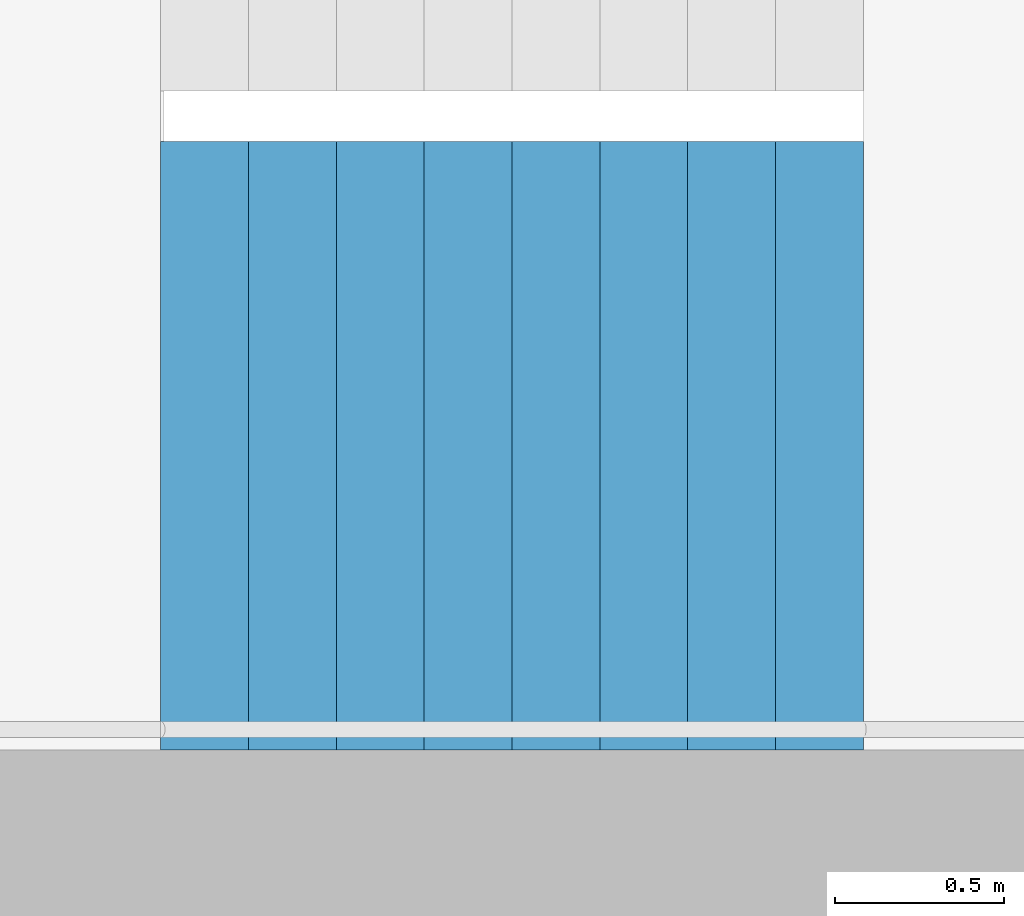
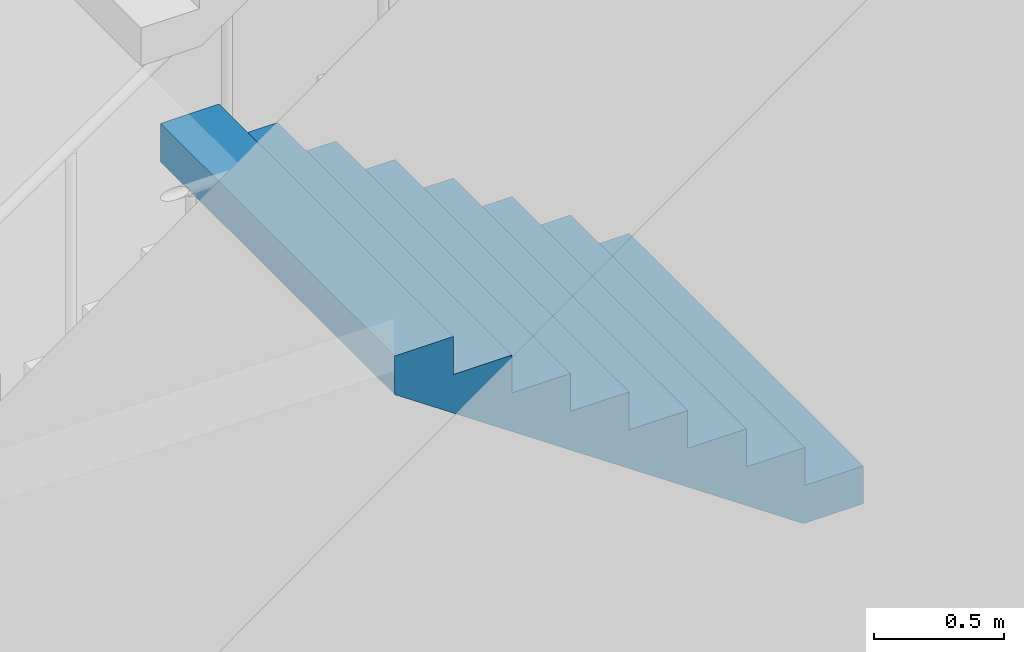
# One storey, part 24 of 42: 1 stair flight, 1 element without a shape of its own.
"""IFC4 building model written with IfcOpenShell, lengths in metres."""

import ifcopenshell
import ifcopenshell.guid

model = None  # the IFC model being written
_history = None  # IfcOwnerHistory: only IFC2X3 demands one
_inside = {}  # id of a spatial element -> (the spatial element, [elements in it])
_under = {}  # id of a project, library or spatial element -> (it, [spatial elements below it])
_declared = {}  # id of a project -> (the project, [libraries it declares])
_typed = {}  # id of a type object -> (the type object, [elements of that type])
_made_of = {}  # id of a material, layer set ... -> (it, [elements and type objects made of it])


def new_model(schema):
    """Start an empty IFC model of exactly this schema.

    Asked for "IFC4X3", IfcOpenShell would pick the latest addendum, in which some entities
    have other attributes; the version numbers below select the first issue.
    IFC2X3 requires an IfcOwnerHistory on every rooted entity: one is made here for all.
    """
    global model, _history
    if schema == "IFC4X3":
        model = ifcopenshell.file(schema_version=(4, 3, 0, 0))
    else:
        model = ifcopenshell.file(schema=schema)
    _inside.clear()
    _under.clear()
    _declared.clear()
    _typed.clear()
    _made_of.clear()
    _history = None
    if model.schema == "IFC2X3":
        org = make("IfcOrganization", Name="unknown")
        user = make(
            "IfcPersonAndOrganization",
            ThePerson=make("IfcPerson", FamilyName="unknown"),
            TheOrganization=org,
        )
        app = make(
            "IfcApplication",
            ApplicationDeveloper=org,
            Version="unknown",
            ApplicationFullName="unknown",
            ApplicationIdentifier="unknown",
        )
        _history = make(
            "IfcOwnerHistory",
            OwningUser=user,
            OwningApplication=app,
            ChangeAction="ADDED",
            CreationDate=0,
        )
    return model


def make(cls, **values):
    """One entity of the class cls with the attributes given. An attribute that is None is left unset."""
    return model.create_entity(
        cls, **{name: value for name, value in values.items() if value is not None}
    )


def rooted(cls, **values):
    """An entity with a GlobalId (a new one), such as an element, a storey or a relation."""
    return make(cls, GlobalId=ifcopenshell.guid.new(), OwnerHistory=_history, **values)


def si_unit(unit_type, name, prefix=None):
    """IfcSIUnit, for example si_unit("LENGTHUNIT", "METRE", prefix="MILLI")."""
    return make("IfcSIUnit", UnitType=unit_type, Prefix=prefix, Name=name)


def assignment(units):
    """IfcUnitAssignment: the units of a project."""
    return None if units is None else make("IfcUnitAssignment", Units=units)


def point(xyz):
    """IfcCartesianPoint."""
    return None if xyz is None else make("IfcCartesianPoint", Coordinates=xyz)


def direction(xyz):
    """IfcDirection."""
    return None if xyz is None else make("IfcDirection", DirectionRatios=xyz)


def frame(location, z_axis=None, x_axis=None):
    """IfcAxis2Placement3D, a coordinate frame: its origin and axes. An axis left out is left unset."""
    return make(
        "IfcAxis2Placement3D",
        Location=point(location),
        Axis=direction(z_axis),
        RefDirection=direction(x_axis),
    )


def origin():
    """The frame at (0, 0, 0) with its axes left unset."""
    return frame((0.0, 0.0, 0.0))


def place(relative_to, where):
    """IfcLocalPlacement: puts the frame where relative to a parent placement (None: the world)."""
    return make(
        "IfcLocalPlacement", PlacementRelTo=relative_to, RelativePlacement=where
    )


def context(
    kind, dimensions, precision=None, world=None, true_north=None, identifier=None
):
    """IfcGeometricRepresentationContext, for example the 3D "Model" context."""
    return make(
        "IfcGeometricRepresentationContext",
        ContextIdentifier=identifier,
        ContextType=kind,
        CoordinateSpaceDimension=dimensions,
        Precision=precision,
        WorldCoordinateSystem=world,
        TrueNorth=true_north,
    )


def subcontext(parent, identifier, kind, view, scale=None):
    """IfcGeometricRepresentationSubContext, for example "Body" below "Model"."""
    return make(
        "IfcGeometricRepresentationSubContext",
        ContextIdentifier=identifier,
        ContextType=kind,
        ParentContext=parent,
        TargetScale=scale,
        TargetView=view,
    )


def project(units=None, contexts=None):
    """IfcProject with its units and contexts."""
    return rooted(
        "IfcProject",
        Name="project",
        RepresentationContexts=contexts,
        UnitsInContext=assignment(units),
    )


def spatial(cls, under=None, at=None, **own):
    """A site, building, storey or space (cls), placed at a placement, below another one or the project."""
    s = rooted(cls, ObjectPlacement=at, **own)
    if under is not None:
        _under.setdefault(under.id(), (under, []))[1].append(s)
    return s


def point_list(points):
    """IfcCartesianPointList2D or 3D."""
    cls = (
        "IfcCartesianPointList2D" if len(points[0]) == 2 else "IfcCartesianPointList3D"
    )
    return make(cls, CoordList=points)


def triangles(points, corners, closed=None, point_numbers=None):
    """IfcTriangulatedFaceSet: each triangle names its three corners, points numbered from 1."""
    return make(
        "IfcTriangulatedFaceSet",
        Coordinates=point_list(points),
        Closed=closed,
        CoordIndex=corners,
        PnIndex=point_numbers,
    )


def shape(context_of_items, identifier, shape_type, items):
    """IfcShapeRepresentation: the items that make up one representation, for example the "Body"."""
    return make(
        "IfcShapeRepresentation",
        ContextOfItems=context_of_items,
        RepresentationIdentifier=identifier,
        RepresentationType=shape_type,
        Items=items,
    )


def material(Name=None, Category=None):
    """IfcMaterial."""
    return make("IfcMaterial", Name=Name, Category=Category)


def made_of(thing, what):
    """Note that an element or type object is made of a material, layer set ...; save() writes the relation."""
    if what is not None:
        _made_of.setdefault(what.id(), (what, []))[1].append(thing)
    return thing


def type_object(cls, material=None, **own):
    """A type object (cls), such as IfcWallType, which elements share."""
    return made_of(rooted(cls, **own), material)


def element(
    cls,
    number,
    at=None,
    inside=None,
    cuts=None,
    type_object=None,
    material=None,
    context=None,
    identifier="Body",
    shape_type=None,
    held_by="IfcProductDefinitionShape",
    body=None,
    shapes=None,
    **own,
):
    """One element of the class cls, such as IfcWall. Its Tag is "e" and its number.

    at: its placement. inside: the storey or other place that contains it. cuts: it is an
    opening in that element (IfcRelVoidsElement). A single representation is given by context,
    identifier, shape_type and body (its items); several are given by shapes. held_by: the class
    of the entity that holds the representations. save() writes the other relations.
    """
    e = rooted(cls, Tag="e%d" % number, ObjectPlacement=at, **own)
    if body is not None:
        shapes = [shape(context, identifier, shape_type, body)]
    if shapes is not None:
        e.Representation = make(held_by, Representations=shapes)
    if inside is not None:
        _inside.setdefault(inside.id(), (inside, []))[1].append(e)
    if cuts is not None:
        rooted(
            "IfcRelVoidsElement", RelatingBuildingElement=cuts, RelatedOpeningElement=e
        )
    if type_object is not None:
        _typed.setdefault(type_object.id(), (type_object, []))[1].append(e)
    return made_of(e, material)


def aggregate(whole, parts):
    """IfcRelAggregates: a whole, such as a stair, and the parts it consists of."""
    return rooted("IfcRelAggregates", RelatingObject=whole, RelatedObjects=parts)


def save(model, path):
    """Write the relations noted so far, then the file.

    IfcRelAggregates (storeys below a building ...), IfcRelContainedInSpatialStructure (elements
    in a storey), IfcRelDefinesByType, IfcRelAssociatesMaterial and IfcRelDeclares: one each for
    every whole, place, type object, material and project.
    """
    for whole, parts in _under.values():
        aggregate(whole, parts)
    for where, things in _inside.values():
        rooted(
            "IfcRelContainedInSpatialStructure",
            RelatedElements=things,
            RelatingStructure=where,
        )
    for kind, things in _typed.values():
        rooted("IfcRelDefinesByType", RelatedObjects=things, RelatingType=kind)
    for what, things in _made_of.values():
        rooted("IfcRelAssociatesMaterial", RelatedObjects=things, RelatingMaterial=what)
    for by, libraries in _declared.values():
        rooted("IfcRelDeclares", RelatingContext=by, RelatedDefinitions=libraries)
    model.write(path)


model = new_model("IFC4")

# Units and contexts
model_context = context("Model", 3, precision=1e-05, world=origin(), true_north=direction((0.0, 1.0)))
body_context = subcontext(model_context, "Body", "Model", "MODEL_VIEW")
ifc_project = project(units=[si_unit("LENGTHUNIT", "METRE"), si_unit("AREAUNIT", "SQUARE_METRE"), si_unit("VOLUMEUNIT", "CUBIC_METRE"), si_unit("PLANEANGLEUNIT", "RADIAN"), si_unit("MASSUNIT", "GRAM", prefix="KILO")], contexts=[model_context])

# Site, building, storey
site_placement = place(None, origin())
site = spatial("IfcSite", under=ifc_project, at=site_placement, CompositionType="ELEMENT")
building_placement = place(site_placement, origin())
building = spatial("IfcBuilding", under=site, at=building_placement, Name="Hakoniwa Tower and Hamabe Station Hall", CompositionType="ELEMENT")
storey_placement = place(building_placement, frame((0.0, 0.0, 232.60009765625)))
storey = spatial("IfcBuildingStorey", under=building, at=storey_placement, Name="L66", CompositionType="ELEMENT", Elevation=232.60009765625)

# Stair, stair flight
ifc_material_1 = material(Name="Concrete C40", Category="concrete")
stair_type = type_object("IfcStairType", Name="ESCAPE STAIR 1800", PredefinedType="HALF_TURN_STAIR", material=ifc_material_1)
stair_placement = place(storey_placement, origin())
stair = element("IfcStair", 1, at=stair_placement, inside=storey, type_object=stair_type, Name="Escape stair ST-4 L66", PredefinedType="HALF_TURN_STAIR")
ifc_material_2 = material(Name="Concrete C40", Category="concrete")
stair_flight_type = type_object("IfcStairFlightType", Name="STAIR FLIGHT 1800", PredefinedType="STRAIGHT", material=ifc_material_2)
stair_flight_placement = place(storey_placement, frame((25.47998046875, -6.60009765625, 1.599853515625), z_axis=(0.0, 0.0, 1.0), x_axis=(-1.0, 0.0, 0.0)))
stair_flight = element("IfcStairFlight", 2, at=stair_flight_placement, type_object=stair_flight_type, Name="ST-4 flight 2", NumberOfRisers=9, NumberOfTreads=8, PredefinedType="STRAIGHT", RiserHeight=0.177777778, TreadLength=0.26, context=body_context, shape_type="Tessellation", body=[
    triangles([(0.0, 0.89990234375, 0.0), (0.260009765625, 0.89990234375, 0.0), (0.265625, 0.89990234375, 0.0), (0.52001953125, 0.89990234375, 0.174072265625), (0.780029296875, 0.89990234375, 0.351806640625), (1.0400390625, 0.89990234375, 0.529541015625), (1.300048828125, 0.89990234375, 0.707275390625), (1.56005859375, 0.89990234375, 0.885009765625), (1.820068359375, 0.89990234375, 1.062744140625), (2.080078125, 0.89990234375, 1.24072265625), (2.080078125, 0.89990234375, 1.422119140625), (1.820068359375, 0.89990234375, 1.422119140625), (1.820068359375, 0.89990234375, 1.244384765625), (1.56005859375, 0.89990234375, 1.244384765625), (1.56005859375, 0.89990234375, 1.066650390625), (1.300048828125, 0.89990234375, 1.066650390625), (1.300048828125, 0.89990234375, 0.888916015625), (1.0400390625, 0.89990234375, 0.888916015625), (1.0400390625, 0.89990234375, 0.711181640625), (0.780029296875, 0.89990234375, 0.711181640625), (0.780029296875, 0.89990234375, 0.533447265625), (0.52001953125, 0.89990234375, 0.533447265625), (0.52001953125, 0.89990234375, 0.35546875), (0.265625, 0.89990234375, 0.35546875), (0.260009765625, 0.89990234375, 0.35546875), (0.260009765625, 0.89990234375, 0.177734375), (0.0, 0.89990234375, 0.177734375), (0.0, 0.06005859375, 0.0), (0.260009765625, 0.06005859375, 0.0), (0.265625, 0.06005859375, 0.0), (0.52001953125, 0.06005859375, 0.174072265625), (0.780029296875, 0.06005859375, 0.351806640625), (1.0400390625, 0.06005859375, 0.529541015625), (1.300048828125, 0.06005859375, 0.707275390625), (1.56005859375, 0.06005859375, 0.885009765625), (1.820068359375, 0.06005859375, 1.062744140625), (2.080078125, 0.06005859375, 1.24072265625), (2.080078125, 0.06005859375, 1.422119140625), (1.820068359375, 0.06005859375, 1.422119140625), (1.820068359375, 0.06005859375, 1.244384765625), (1.56005859375, 0.06005859375, 1.244384765625), (1.56005859375, 0.06005859375, 1.066650390625), (1.300048828125, 0.06005859375, 1.066650390625), (1.300048828125, 0.06005859375, 0.888916015625), (1.0400390625, 0.06005859375, 0.888916015625), (1.0400390625, 0.06005859375, 0.711181640625), (0.780029296875, 0.06005859375, 0.711181640625), (0.780029296875, 0.06005859375, 0.533447265625), (0.52001953125, 0.06005859375, 0.533447265625), (0.52001953125, 0.06005859375, 0.35546875), (0.265625, 0.06005859375, 0.35546875), (0.260009765625, 0.06005859375, 0.35546875), (0.260009765625, 0.06005859375, 0.177734375), (0.0, 0.06005859375, 0.177734375), (0.0, 0.04296875, 0.0), (0.260009765625, 0.04296875, 0.0), (0.265625, 0.04296875, 0.0), (0.52001953125, 0.04296875, 0.174072265625), (0.780029296875, 0.04296875, 0.351806640625), (1.0400390625, 0.04296875, 0.529541015625), (1.300048828125, 0.04296875, 0.707275390625), (1.56005859375, 0.04296875, 0.885009765625), (1.820068359375, 0.04296875, 1.062744140625), (2.080078125, 0.04296875, 1.24072265625), (2.080078125, 0.04296875, 1.422119140625), (1.820068359375, 0.04296875, 1.422119140625), (1.820068359375, 0.04296875, 1.244384765625), (1.56005859375, 0.04296875, 1.244384765625), (1.56005859375, 0.04296875, 1.066650390625), (1.300048828125, 0.04296875, 1.066650390625), (1.300048828125, 0.04296875, 0.888916015625), (1.0400390625, 0.04296875, 0.888916015625), (1.0400390625, 0.04296875, 0.711181640625), (0.780029296875, 0.04296875, 0.711181640625), (0.780029296875, 0.04296875, 0.533447265625), (0.52001953125, 0.04296875, 0.533447265625), (0.52001953125, 0.04296875, 0.35546875), (0.265625, 0.04296875, 0.35546875), (0.260009765625, 0.04296875, 0.35546875), (0.260009765625, 0.04296875, 0.177734375), (0.0, 0.04296875, 0.177734375), (0.0, 0.025634765625, 0.0), (0.260009765625, 0.025634765625, 0.0), (0.265625, 0.025634765625, 0.0), (0.52001953125, 0.025634765625, 0.174072265625), (0.780029296875, 0.025634765625, 0.351806640625), (1.0400390625, 0.025634765625, 0.529541015625), (1.300048828125, 0.025634765625, 0.707275390625), (1.56005859375, 0.025634765625, 0.885009765625), (1.820068359375, 0.025634765625, 1.062744140625), (2.080078125, 0.025634765625, 1.24072265625), (2.080078125, 0.025634765625, 1.422119140625), (1.820068359375, 0.025634765625, 1.422119140625), (1.820068359375, 0.025634765625, 1.244384765625), (1.56005859375, 0.025634765625, 1.244384765625), (1.56005859375, 0.025634765625, 1.066650390625), (1.300048828125, 0.025634765625, 1.066650390625), (1.300048828125, 0.025634765625, 0.888916015625), (1.0400390625, 0.025634765625, 0.888916015625), (1.0400390625, 0.025634765625, 0.711181640625), (0.780029296875, 0.025634765625, 0.711181640625), (0.780029296875, 0.025634765625, 0.533447265625), (0.52001953125, 0.025634765625, 0.533447265625), (0.52001953125, 0.025634765625, 0.35546875), (0.265625, 0.025634765625, 0.35546875), (0.260009765625, 0.025634765625, 0.35546875), (0.260009765625, 0.025634765625, 0.177734375), (0.0, 0.025634765625, 0.177734375), (0.0, 0.008544921875, 0.0), (0.260009765625, 0.008544921875, 0.0), (0.265625, 0.008544921875, 0.0), (0.52001953125, 0.008544921875, 0.174072265625), (0.780029296875, 0.008544921875, 0.351806640625), (1.0400390625, 0.008544921875, 0.529541015625), (1.300048828125, 0.008544921875, 0.707275390625), (1.56005859375, 0.008544921875, 0.885009765625), (1.820068359375, 0.008544921875, 1.062744140625), (2.080078125, 0.008544921875, 1.24072265625), (2.080078125, 0.008544921875, 1.422119140625), (1.820068359375, 0.008544921875, 1.422119140625), (1.820068359375, 0.008544921875, 1.244384765625), (1.56005859375, 0.008544921875, 1.244384765625), (1.56005859375, 0.008544921875, 1.066650390625), (1.300048828125, 0.008544921875, 1.066650390625), (1.300048828125, 0.008544921875, 0.888916015625), (1.0400390625, 0.008544921875, 0.888916015625), (1.0400390625, 0.008544921875, 0.711181640625), (0.780029296875, 0.008544921875, 0.711181640625), (0.780029296875, 0.008544921875, 0.533447265625), (0.52001953125, 0.008544921875, 0.533447265625), (0.52001953125, 0.008544921875, 0.35546875), (0.265625, 0.008544921875, 0.35546875), (0.260009765625, 0.008544921875, 0.35546875), (0.260009765625, 0.008544921875, 0.177734375), (0.0, 0.008544921875, 0.177734375), (0.0, -0.008544921875, 0.0), (0.260009765625, -0.008544921875, 0.0), (0.265625, -0.008544921875, 0.0), (0.52001953125, -0.008544921875, 0.174072265625), (0.780029296875, -0.008544921875, 0.351806640625), (1.0400390625, -0.008544921875, 0.529541015625), (1.300048828125, -0.008544921875, 0.707275390625), (1.56005859375, -0.008544921875, 0.885009765625), (1.820068359375, -0.008544921875, 1.062744140625), (2.080078125, -0.008544921875, 1.24072265625), (2.080078125, -0.008544921875, 1.422119140625), (1.820068359375, -0.008544921875, 1.422119140625), (1.820068359375, -0.008544921875, 1.244384765625), (1.56005859375, -0.008544921875, 1.244384765625), (1.56005859375, -0.008544921875, 1.066650390625), (1.300048828125, -0.008544921875, 1.066650390625), (1.300048828125, -0.008544921875, 0.888916015625), (1.0400390625, -0.008544921875, 0.888916015625), (1.0400390625, -0.008544921875, 0.711181640625), (0.780029296875, -0.008544921875, 0.711181640625), (0.780029296875, -0.008544921875, 0.533447265625), (0.52001953125, -0.008544921875, 0.533447265625), (0.52001953125, -0.008544921875, 0.35546875), (0.265625, -0.008544921875, 0.35546875), (0.260009765625, -0.008544921875, 0.35546875), (0.260009765625, -0.008544921875, 0.177734375), (0.0, -0.008544921875, 0.177734375), (0.0, -0.025634765625, 0.0), (0.260009765625, -0.025634765625, 0.0), (0.265625, -0.025634765625, 0.0), (0.52001953125, -0.025634765625, 0.174072265625), (0.780029296875, -0.025634765625, 0.351806640625), (1.0400390625, -0.025634765625, 0.529541015625), (1.300048828125, -0.025634765625, 0.707275390625), (1.56005859375, -0.025634765625, 0.885009765625), (1.820068359375, -0.025634765625, 1.062744140625), (2.080078125, -0.025634765625, 1.24072265625), (2.080078125, -0.025634765625, 1.422119140625), (1.820068359375, -0.025634765625, 1.422119140625), (1.820068359375, -0.025634765625, 1.244384765625), (1.56005859375, -0.025634765625, 1.244384765625), (1.56005859375, -0.025634765625, 1.066650390625), (1.300048828125, -0.025634765625, 1.066650390625), (1.300048828125, -0.025634765625, 0.888916015625), (1.0400390625, -0.025634765625, 0.888916015625), (1.0400390625, -0.025634765625, 0.711181640625), (0.780029296875, -0.025634765625, 0.711181640625), (0.780029296875, -0.025634765625, 0.533447265625), (0.52001953125, -0.025634765625, 0.533447265625), (0.52001953125, -0.025634765625, 0.35546875), (0.265625, -0.025634765625, 0.35546875), (0.260009765625, -0.025634765625, 0.35546875), (0.260009765625, -0.025634765625, 0.177734375), (0.0, -0.025634765625, 0.177734375), (0.0, -0.04296875, 0.0), (0.260009765625, -0.04296875, 0.0), (0.265625, -0.04296875, 0.0), (0.52001953125, -0.04296875, 0.174072265625), (0.780029296875, -0.04296875, 0.351806640625), (1.0400390625, -0.04296875, 0.529541015625), (1.300048828125, -0.04296875, 0.707275390625), (1.56005859375, -0.04296875, 0.885009765625), (1.820068359375, -0.04296875, 1.062744140625), (2.080078125, -0.04296875, 1.24072265625), (2.080078125, -0.04296875, 1.422119140625), (1.820068359375, -0.04296875, 1.422119140625), (1.820068359375, -0.04296875, 1.244384765625), (1.56005859375, -0.04296875, 1.244384765625), (1.56005859375, -0.04296875, 1.066650390625), (1.300048828125, -0.04296875, 1.066650390625), (1.300048828125, -0.04296875, 0.888916015625), (1.0400390625, -0.04296875, 0.888916015625), (1.0400390625, -0.04296875, 0.711181640625), (0.780029296875, -0.04296875, 0.711181640625), (0.780029296875, -0.04296875, 0.533447265625), (0.52001953125, -0.04296875, 0.533447265625), (0.52001953125, -0.04296875, 0.35546875), (0.265625, -0.04296875, 0.35546875), (0.260009765625, -0.04296875, 0.35546875), (0.260009765625, -0.04296875, 0.177734375), (0.0, -0.04296875, 0.177734375), (0.0, -0.06005859375, 0.0), (0.260009765625, -0.06005859375, 0.0), (0.265625, -0.06005859375, 0.0), (0.52001953125, -0.06005859375, 0.174072265625), (0.780029296875, -0.06005859375, 0.351806640625), (1.0400390625, -0.06005859375, 0.529541015625), (1.300048828125, -0.06005859375, 0.707275390625), (1.56005859375, -0.06005859375, 0.885009765625), (1.820068359375, -0.06005859375, 1.062744140625), (2.080078125, -0.06005859375, 1.24072265625), (2.080078125, -0.06005859375, 1.422119140625), (1.820068359375, -0.06005859375, 1.422119140625), (1.820068359375, -0.06005859375, 1.244384765625), (1.56005859375, -0.06005859375, 1.244384765625), (1.56005859375, -0.06005859375, 1.066650390625), (1.300048828125, -0.06005859375, 1.066650390625), (1.300048828125, -0.06005859375, 0.888916015625), (1.0400390625, -0.06005859375, 0.888916015625), (1.0400390625, -0.06005859375, 0.711181640625), (0.780029296875, -0.06005859375, 0.711181640625), (0.780029296875, -0.06005859375, 0.533447265625), (0.52001953125, -0.06005859375, 0.533447265625), (0.52001953125, -0.06005859375, 0.35546875), (0.265625, -0.06005859375, 0.35546875), (0.260009765625, -0.06005859375, 0.35546875), (0.260009765625, -0.06005859375, 0.177734375), (0.0, -0.06005859375, 0.177734375), (0.0, -0.89990234375, 0.0), (0.260009765625, -0.89990234375, 0.0), (0.265625, -0.89990234375, 0.0), (0.52001953125, -0.89990234375, 0.174072265625), (0.780029296875, -0.89990234375, 0.351806640625), (1.0400390625, -0.89990234375, 0.529541015625), (1.300048828125, -0.89990234375, 0.707275390625), (1.56005859375, -0.89990234375, 0.885009765625), (1.820068359375, -0.89990234375, 1.062744140625), (2.080078125, -0.89990234375, 1.24072265625), (2.080078125, -0.89990234375, 1.422119140625), (1.820068359375, -0.89990234375, 1.422119140625), (1.820068359375, -0.89990234375, 1.244384765625), (1.56005859375, -0.89990234375, 1.244384765625), (1.56005859375, -0.89990234375, 1.066650390625), (1.300048828125, -0.89990234375, 1.066650390625), (1.300048828125, -0.89990234375, 0.888916015625), (1.0400390625, -0.89990234375, 0.888916015625), (1.0400390625, -0.89990234375, 0.711181640625), (0.780029296875, -0.89990234375, 0.711181640625), (0.780029296875, -0.89990234375, 0.533447265625), (0.52001953125, -0.89990234375, 0.533447265625), (0.52001953125, -0.89990234375, 0.35546875), (0.265625, -0.89990234375, 0.35546875), (0.260009765625, -0.89990234375, 0.35546875), (0.260009765625, -0.89990234375, 0.177734375), (0.0, -0.89990234375, 0.177734375)], [[2, 27, 26], [245, 269, 270], [2, 1, 27], [245, 270, 244], [3, 25, 24], [246, 267, 268], [3, 26, 25], [246, 268, 269], [3, 2, 26], [246, 269, 245], [4, 24, 23], [247, 266, 267], [4, 3, 24], [247, 267, 246], [5, 22, 21], [248, 264, 265], [5, 23, 22], [248, 265, 266], [5, 4, 23], [248, 266, 247], [6, 20, 19], [249, 262, 263], [6, 21, 20], [249, 263, 264], [6, 5, 21], [249, 264, 248], [7, 18, 17], [250, 260, 261], [7, 19, 18], [250, 261, 262], [7, 6, 19], [250, 262, 249], [8, 16, 15], [251, 258, 259], [8, 17, 16], [251, 259, 260], [8, 7, 17], [251, 260, 250], [9, 14, 13], [252, 256, 257], [9, 15, 14], [252, 257, 258], [9, 8, 15], [252, 258, 251], [10, 12, 11], [253, 254, 255], [10, 13, 12], [253, 255, 256], [10, 9, 13], [253, 256, 252], [1, 2, 29], [1, 29, 28], [28, 29, 56], [28, 56, 55], [55, 56, 83], [55, 83, 82], [82, 83, 110], [82, 110, 109], [109, 110, 137], [109, 137, 136], [136, 137, 164], [136, 164, 163], [163, 164, 191], [163, 191, 190], [190, 191, 218], [190, 218, 217], [217, 218, 245], [217, 245, 244], [2, 3, 30], [2, 30, 29], [29, 30, 57], [29, 57, 56], [56, 57, 84], [56, 84, 83], [83, 84, 111], [83, 111, 110], [110, 111, 138], [110, 138, 137], [137, 138, 165], [137, 165, 164], [164, 165, 192], [164, 192, 191], [191, 192, 219], [191, 219, 218], [218, 219, 246], [218, 246, 245], [3, 4, 31], [3, 31, 30], [30, 31, 58], [30, 58, 57], [57, 58, 85], [57, 85, 84], [84, 85, 112], [84, 112, 111], [111, 112, 139], [111, 139, 138], [138, 139, 166], [138, 166, 165], [165, 166, 193], [165, 193, 192], [192, 193, 220], [192, 220, 219], [219, 220, 247], [219, 247, 246], [4, 5, 32], [4, 32, 31], [31, 32, 59], [31, 59, 58], [58, 59, 86], [58, 86, 85], [85, 86, 113], [85, 113, 112], [112, 113, 140], [112, 140, 139], [139, 140, 167], [139, 167, 166], [166, 167, 194], [166, 194, 193], [193, 194, 221], [193, 221, 220], [220, 221, 248], [220, 248, 247], [5, 6, 33], [5, 33, 32], [32, 33, 60], [32, 60, 59], [59, 60, 87], [59, 87, 86], [86, 87, 114], [86, 114, 113], [113, 114, 141], [113, 141, 140], [140, 141, 168], [140, 168, 167], [167, 168, 195], [167, 195, 194], [194, 195, 222], [194, 222, 221], [221, 222, 249], [221, 249, 248], [6, 7, 34], [6, 34, 33], [33, 34, 61], [33, 61, 60], [60, 61, 88], [60, 88, 87], [87, 88, 115], [87, 115, 114], [114, 115, 142], [114, 142, 141], [141, 142, 169], [141, 169, 168], [168, 169, 196], [168, 196, 195], [195, 196, 223], [195, 223, 222], [222, 223, 250], [222, 250, 249], [7, 8, 35], [7, 35, 34], [34, 35, 62], [34, 62, 61], [61, 62, 89], [61, 89, 88], [88, 89, 116], [88, 116, 115], [115, 116, 143], [115, 143, 142], [142, 143, 170], [142, 170, 169], [169, 170, 197], [169, 197, 196], [196, 197, 224], [196, 224, 223], [223, 224, 251], [223, 251, 250], [8, 9, 36], [8, 36, 35], [35, 36, 63], [35, 63, 62], [62, 63, 90], [62, 90, 89], [89, 90, 117], [89, 117, 116], [116, 117, 144], [116, 144, 143], [143, 144, 171], [143, 171, 170], [170, 171, 198], [170, 198, 197], [197, 198, 225], [197, 225, 224], [224, 225, 252], [224, 252, 251], [9, 10, 37], [9, 37, 36], [36, 37, 64], [36, 64, 63], [63, 64, 91], [63, 91, 90], [90, 91, 118], [90, 118, 117], [117, 118, 145], [117, 145, 144], [144, 145, 172], [144, 172, 171], [171, 172, 199], [171, 199, 198], [198, 199, 226], [198, 226, 225], [225, 226, 253], [225, 253, 252], [10, 11, 38], [10, 38, 37], [37, 38, 65], [37, 65, 64], [64, 65, 92], [64, 92, 91], [91, 92, 119], [91, 119, 118], [118, 119, 146], [118, 146, 145], [145, 146, 173], [145, 173, 172], [172, 173, 200], [172, 200, 199], [199, 200, 227], [199, 227, 226], [226, 227, 254], [226, 254, 253], [11, 12, 39], [11, 39, 38], [38, 39, 66], [38, 66, 65], [65, 66, 93], [65, 93, 92], [92, 93, 120], [92, 120, 119], [119, 120, 147], [119, 147, 146], [146, 147, 174], [146, 174, 173], [173, 174, 201], [173, 201, 200], [200, 201, 228], [200, 228, 227], [227, 228, 255], [227, 255, 254], [12, 13, 40], [12, 40, 39], [39, 40, 67], [39, 67, 66], [66, 67, 94], [66, 94, 93], [93, 94, 121], [93, 121, 120], [120, 121, 148], [120, 148, 147], [147, 148, 175], [147, 175, 174], [174, 175, 202], [174, 202, 201], [201, 202, 229], [201, 229, 228], [228, 229, 256], [228, 256, 255], [13, 14, 41], [13, 41, 40], [40, 41, 68], [40, 68, 67], [67, 68, 95], [67, 95, 94], [94, 95, 122], [94, 122, 121], [121, 122, 149], [121, 149, 148], [148, 149, 176], [148, 176, 175], [175, 176, 203], [175, 203, 202], [202, 203, 230], [202, 230, 229], [229, 230, 257], [229, 257, 256], [14, 15, 42], [14, 42, 41], [41, 42, 69], [41, 69, 68], [68, 69, 96], [68, 96, 95], [95, 96, 123], [95, 123, 122], [122, 123, 150], [122, 150, 149], [149, 150, 177], [149, 177, 176], [176, 177, 204], [176, 204, 203], [203, 204, 231], [203, 231, 230], [230, 231, 258], [230, 258, 257], [15, 16, 43], [15, 43, 42], [42, 43, 70], [42, 70, 69], [69, 70, 97], [69, 97, 96], [96, 97, 124], [96, 124, 123], [123, 124, 151], [123, 151, 150], [150, 151, 178], [150, 178, 177], [177, 178, 205], [177, 205, 204], [204, 205, 232], [204, 232, 231], [231, 232, 259], [231, 259, 258], [16, 17, 44], [16, 44, 43], [43, 44, 71], [43, 71, 70], [70, 71, 98], [70, 98, 97], [97, 98, 125], [97, 125, 124], [124, 125, 152], [124, 152, 151], [151, 152, 179], [151, 179, 178], [178, 179, 206], [178, 206, 205], [205, 206, 233], [205, 233, 232], [232, 233, 260], [232, 260, 259], [17, 18, 45], [17, 45, 44], [44, 45, 72], [44, 72, 71], [71, 72, 99], [71, 99, 98], [98, 99, 126], [98, 126, 125], [125, 126, 153], [125, 153, 152], [152, 153, 180], [152, 180, 179], [179, 180, 207], [179, 207, 206], [206, 207, 234], [206, 234, 233], [233, 234, 261], [233, 261, 260], [18, 19, 46], [18, 46, 45], [45, 46, 73], [45, 73, 72], [72, 73, 100], [72, 100, 99], [99, 100, 127], [99, 127, 126], [126, 127, 154], [126, 154, 153], [153, 154, 181], [153, 181, 180], [180, 181, 208], [180, 208, 207], [207, 208, 235], [207, 235, 234], [234, 235, 262], [234, 262, 261], [19, 20, 47], [19, 47, 46], [46, 47, 74], [46, 74, 73], [73, 74, 101], [73, 101, 100], [100, 101, 128], [100, 128, 127], [127, 128, 155], [127, 155, 154], [154, 155, 182], [154, 182, 181], [181, 182, 209], [181, 209, 208], [208, 209, 236], [208, 236, 235], [235, 236, 263], [235, 263, 262], [20, 21, 48], [20, 48, 47], [47, 48, 75], [47, 75, 74], [74, 75, 102], [74, 102, 101], [101, 102, 129], [101, 129, 128], [128, 129, 156], [128, 156, 155], [155, 156, 183], [155, 183, 182], [182, 183, 210], [182, 210, 209], [209, 210, 237], [209, 237, 236], [236, 237, 264], [236, 264, 263], [21, 22, 49], [21, 49, 48], [48, 49, 76], [48, 76, 75], [75, 76, 103], [75, 103, 102], [102, 103, 130], [102, 130, 129], [129, 130, 157], [129, 157, 156], [156, 157, 184], [156, 184, 183], [183, 184, 211], [183, 211, 210], [210, 211, 238], [210, 238, 237], [237, 238, 265], [237, 265, 264], [22, 23, 50], [22, 50, 49], [49, 50, 77], [49, 77, 76], [76, 77, 104], [76, 104, 103], [103, 104, 131], [103, 131, 130], [130, 131, 158], [130, 158, 157], [157, 158, 185], [157, 185, 184], [184, 185, 212], [184, 212, 211], [211, 212, 239], [211, 239, 238], [238, 239, 266], [238, 266, 265], [23, 24, 51], [23, 51, 50], [50, 51, 78], [50, 78, 77], [77, 78, 105], [77, 105, 104], [104, 105, 132], [104, 132, 131], [131, 132, 159], [131, 159, 158], [158, 159, 186], [158, 186, 185], [185, 186, 213], [185, 213, 212], [212, 213, 240], [212, 240, 239], [239, 240, 267], [239, 267, 266], [24, 25, 52], [24, 52, 51], [51, 52, 79], [51, 79, 78], [78, 79, 106], [78, 106, 105], [105, 106, 133], [105, 133, 132], [132, 133, 160], [132, 160, 159], [159, 160, 187], [159, 187, 186], [186, 187, 214], [186, 214, 213], [213, 214, 241], [213, 241, 240], [240, 241, 268], [240, 268, 267], [25, 26, 53], [25, 53, 52], [52, 53, 80], [52, 80, 79], [79, 80, 107], [79, 107, 106], [106, 107, 134], [106, 134, 133], [133, 134, 161], [133, 161, 160], [160, 161, 188], [160, 188, 187], [187, 188, 215], [187, 215, 214], [214, 215, 242], [214, 242, 241], [241, 242, 269], [241, 269, 268], [26, 27, 54], [26, 54, 53], [53, 54, 81], [53, 81, 80], [80, 81, 108], [80, 108, 107], [107, 108, 135], [107, 135, 134], [134, 135, 162], [134, 162, 161], [161, 162, 189], [161, 189, 188], [188, 189, 216], [188, 216, 215], [215, 216, 243], [215, 243, 242], [242, 243, 270], [242, 270, 269], [27, 1, 28], [27, 28, 54], [54, 28, 55], [54, 55, 81], [81, 55, 82], [81, 82, 108], [108, 82, 109], [108, 109, 135], [135, 109, 136], [135, 136, 162], [162, 136, 163], [162, 163, 189], [189, 163, 190], [189, 190, 216], [216, 190, 217], [216, 217, 243], [243, 217, 244], [243, 244, 270]], closed=True),
])
aggregate(stair, [stair_flight])

save(model, "model.ifc")
